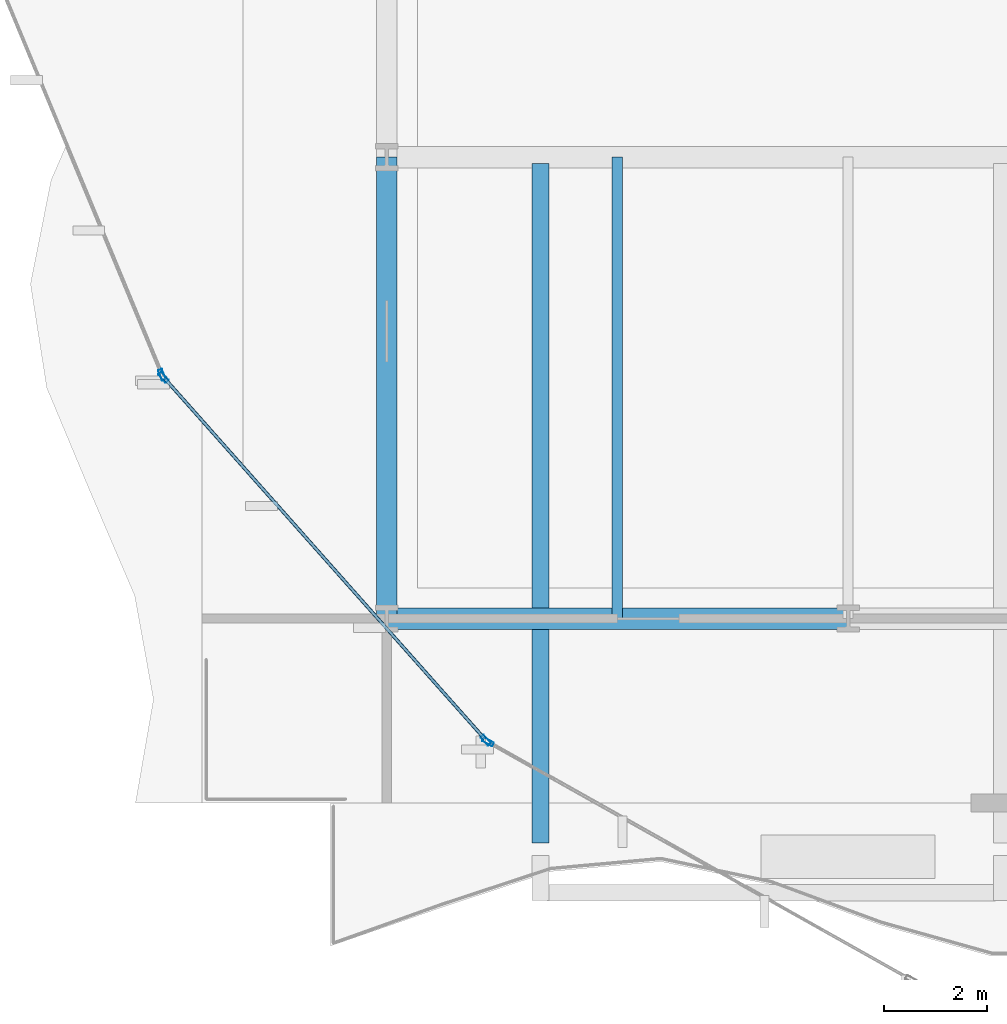
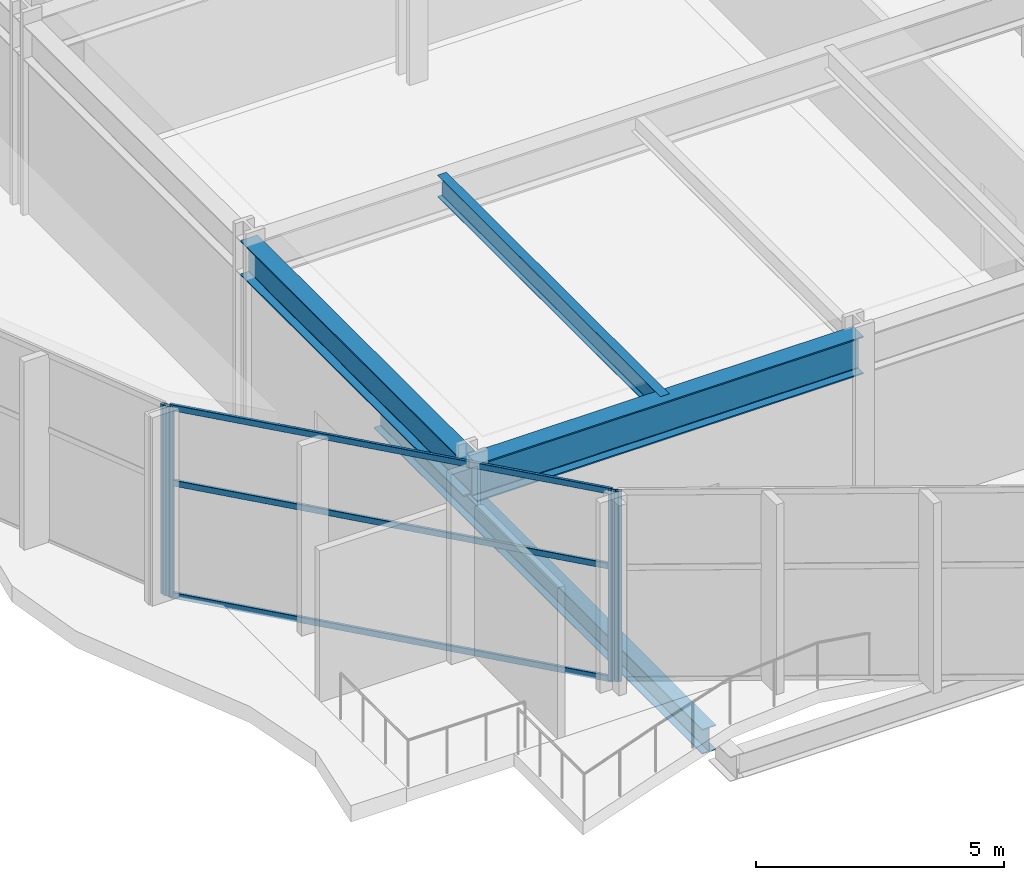
# One storey, part 2 of 28: 7 members, 4 beams, 3 elements without a shape of their own.
"""IFC4 building model written with IfcOpenShell, lengths in metres."""

from ifc_helpers import new_model, si_unit, direction, frame, origin, origin_2d, place, context, subcontext, project, spatial, hollow_rectangle, i_section, extrude, material, layer, layer_set, material_profile, profile_set, type_object, element, aggregate, save


model = new_model("IFC4")

# Units and contexts
model_context = context("Model", 3, precision=1e-05, world=origin(), true_north=direction((0.0, 1.0)))
body_context = subcontext(model_context, "Body", "Model", "MODEL_VIEW")
ifc_project = project(units=[si_unit("LENGTHUNIT", "METRE"), si_unit("AREAUNIT", "SQUARE_METRE"), si_unit("VOLUMEUNIT", "CUBIC_METRE"), si_unit("PLANEANGLEUNIT", "RADIAN"), si_unit("MASSUNIT", "GRAM", prefix="KILO")], contexts=[model_context])

# Site, building, storey
site_placement = place(None, origin())
site = spatial("IfcSite", under=ifc_project, at=site_placement, CompositionType="ELEMENT")
building_placement = place(site_placement, origin())
building = spatial("IfcBuilding", under=site, at=building_placement, Name="Solvaryn Broadcast Tower", CompositionType="ELEMENT")
storey_placement = place(building_placement, frame((0.0, 0.0, 16.199951171875)))
storey = spatial("IfcBuildingStorey", under=building, at=storey_placement, Name="L03", CompositionType="ELEMENT", Elevation=16.199951171875)

# Beams
ifc_material_1 = material(Name="Steel ASTM A992 Grade 50", Category="steel")
ifc_material_profile_1 = material_profile(ifc_material_1, i_section(OverallWidth=0.323974609375, OverallDepth=0.611083984375, WebThickness=0.0126953125, FlangeThickness=0.01904296875, FilletRadius=0.014892578125, at=origin_2d()))
ifc_profile_set_1 = profile_set([ifc_material_profile_1], Name="Steel ASTM A992 Grade 50")
beam_type_1 = type_object("IfcBeamType", Name="BM-B1-W24X104", PredefinedType="BEAM", material=ifc_profile_set_1)
beam_1_placement = place(storey_placement, frame((12.0, 17.875, -0.62548828125), z_axis=(0.0, -1.0, 0.0), x_axis=(1.0, 0.0, 0.0)))
element("IfcBeam", 1, at=beam_1_placement, inside=storey, type_object=beam_type_1, Name="L03 Terrace Back-Span Beam X12.0", PredefinedType="BEAM", context=body_context, shape_type="SweptSolid", body=[
    extrude(i_section(OverallWidth=0.323974609375, OverallDepth=0.611083984375, WebThickness=0.0126953125, FlangeThickness=0.01904296875, FilletRadius=0.014892578125, at=origin_2d()), origin(), (0.0, 0.0, 1.0), 13.25),
])
ifc_material_2 = material(Name="Steel ASTM A992 Grade 50", Category="steel")
ifc_material_profile_2 = material_profile(ifc_material_2, i_section(OverallWidth=0.208984375, OverallDepth=0.532958984375, WebThickness=0.01025390625, FlangeThickness=0.015625, FilletRadius=0.013916015625, at=origin_2d()))
ifc_profile_set_2 = profile_set([ifc_material_profile_2], Name="Steel ASTM A992 Grade 50")
beam_type_2 = type_object("IfcBeamType", Name="BM-B3-W21X62", PredefinedType="BEAM", material=ifc_profile_set_2)
beam_2_placement = place(storey_placement, frame((13.5, 9.0, 4.41357421875), z_axis=(0.0, 1.0, 0.0), x_axis=(-1.0, 0.0, 0.0)))
element("IfcBeam", 2, at=beam_2_placement, inside=storey, type_object=beam_type_2, Name="L03 Studio Rigging Beam 1", PredefinedType="BEAM", context=body_context, shape_type="SweptSolid", body=[
    extrude(i_section(OverallWidth=0.208984375, OverallDepth=0.532958984375, WebThickness=0.01025390625, FlangeThickness=0.015625, FilletRadius=0.013916015625, at=origin_2d()), origin(), (0.0, 0.0, 1.0), 9.0),
])
ifc_material_3 = material(Name="Steel ASTM A992 Grade 50", Category="steel")
ifc_material_profile_3 = material_profile(ifc_material_3, i_section(OverallWidth=0.41796875, OverallDepth=0.927001953125, WebThickness=0.019287109375, FlangeThickness=0.031982421875, FilletRadius=0.02392578125, at=origin_2d()))
ifc_profile_set_3 = profile_set([ifc_material_profile_3], Name="Steel ASTM A992 Grade 50")
beam_type_3 = type_object("IfcBeamType", Name="BM-G2-W36X231", PredefinedType="BEAM", material=ifc_profile_set_3)
beam_3_placement = place(storey_placement, frame((9.0, 9.0, 4.216552734375), z_axis=(1.0, 0.0, 0.0), x_axis=(0.0, 1.0, 0.0)))
element("IfcBeam", 3, at=beam_3_placement, inside=storey, type_object=beam_type_3, Name="L03 Primary Beam X (9-18 @ Y=9)", PredefinedType="BEAM", context=body_context, shape_type="SweptSolid", body=[
    extrude(i_section(OverallWidth=0.41796875, OverallDepth=0.927001953125, WebThickness=0.019287109375, FlangeThickness=0.031982421875, FilletRadius=0.02392578125, at=origin_2d()), origin(), (0.0, 0.0, 1.0), 9.0),
])
ifc_material_4 = material(Name="Steel ASTM A992 Grade 50", Category="steel")
ifc_material_profile_4 = material_profile(ifc_material_4, i_section(OverallWidth=0.39990234375, OverallDepth=0.85498046875, WebThickness=0.018310546875, FlangeThickness=0.029296875, FilletRadius=0.02001953125, at=origin_2d()))
ifc_profile_set_4 = profile_set([ifc_material_profile_4], Name="Steel ASTM A992 Grade 50")
beam_type_4 = type_object("IfcBeamType", Name="BM-G3-W33X201", PredefinedType="BEAM", material=ifc_profile_set_4)
beam_4_placement = place(storey_placement, frame((9.0, 9.0, 4.25244140625), z_axis=(0.0, 1.0, 0.0), x_axis=(-1.0, 0.0, 0.0)))
element("IfcBeam", 4, at=beam_4_placement, inside=storey, type_object=beam_type_4, Name="L03 Primary Beam Y (9-18 @ X=9)", PredefinedType="BEAM", context=body_context, shape_type="SweptSolid", body=[
    extrude(i_section(OverallWidth=0.39990234375, OverallDepth=0.85498046875, WebThickness=0.018310546875, FlangeThickness=0.029296875, FilletRadius=0.02001953125, at=origin_2d()), origin(), (0.0, 0.0, 1.0), 9.0),
])

# Curtain wall, member
ifc_material_5 = material(Name="Aluminium and Terracotta Unitised Curtain Wall", Category="masonry")
ifc_layer = layer(ifc_material_5, 0.219970703125)
ifc_layer_set = layer_set([ifc_layer], Name="CW-SYS1-PODIUM")
curtain_wall_type = type_object("IfcCurtainWallType", Name="CW-SYS1-PODIUM", PredefinedType="NOTDEFINED", material=ifc_layer_set)
curtain_wall_1_placement = place(storey_placement, origin())
curtain_wall_1 = element("IfcCurtainWall", 5, at=curtain_wall_1_placement, inside=storey, type_object=curtain_wall_type, Name="L03 Podium Curtain Wall DC2", PredefinedType="NOTDEFINED")
ifc_material_6 = material(Name="Anodised Aluminium 6063-T6", Category="aluminium")
ifc_material_profile_5 = material_profile(ifc_material_6, hollow_rectangle(XDim=0.0849609375, YDim=0.219970703125, WallThickness=0.0048828125, InnerFilletRadius=0.0048828125, OuterFilletRadius=0.010009765625, at=origin_2d()))
ifc_profile_set_5 = profile_set([ifc_material_profile_5], Name="Anodised Aluminium 6063-T6")
member_type_1 = type_object("IfcMemberType", Name="CW-MUL-220", PredefinedType="MULLION", material=ifc_profile_set_5)
member_1_placement = place(storey_placement, frame((4.618408203125, 13.756591796875, 0.0), z_axis=(0.0, 0.0, 1.0), x_axis=(0.923582542835, 0.383399643414, 0.0)))
member_1 = element("IfcMember", 6, at=member_1_placement, type_object=member_type_1, Name="CWS1 mullion 2", PredefinedType="MULLION", context=body_context, shape_type="SweptSolid", body=[
    extrude(hollow_rectangle(XDim=0.0849609375, YDim=0.219970703125, WallThickness=0.0048828125, InnerFilletRadius=0.0048828125, OuterFilletRadius=0.010009765625, at=origin_2d()), origin(), (0.0, 0.0, 1.0), 4.679931640625),
])
aggregate(curtain_wall_1, [member_1])

# Curtain wall, members
curtain_wall_2_placement = place(storey_placement, origin())
curtain_wall_2 = element("IfcCurtainWall", 7, at=curtain_wall_2_placement, inside=storey, type_object=curtain_wall_type, Name="L03 Podium Curtain Wall DC3", PredefinedType="NOTDEFINED")
member_2_placement = place(storey_placement, frame((4.64990234375, 13.70654296875, 0.0), z_axis=(0.0, 0.0, 1.0), x_axis=(0.74780890696, 0.663914029579, 0.0)))
member_2 = element("IfcMember", 8, at=member_2_placement, type_object=member_type_1, Name="CWS1 mullion 1", PredefinedType="MULLION", context=body_context, shape_type="SweptSolid", body=[
    extrude(hollow_rectangle(XDim=0.0849609375, YDim=0.219970703125, WallThickness=0.0048828125, InnerFilletRadius=0.0048828125, OuterFilletRadius=0.010009765625, at=origin_2d()), origin(), (0.0, 0.0, 1.0), 4.679931640625),
])
member_3_placement = place(storey_placement, frame((10.93310546875, 6.62939453125, 0.0), z_axis=(0.0, 0.0, 1.0), x_axis=(0.74780890696, 0.663914029579, 0.0)))
member_3 = element("IfcMember", 9, at=member_3_placement, type_object=member_type_1, Name="CWS1 mullion 2", PredefinedType="MULLION", context=body_context, shape_type="SweptSolid", body=[
    extrude(hollow_rectangle(XDim=0.0849609375, YDim=0.219970703125, WallThickness=0.0048828125, InnerFilletRadius=0.0048828125, OuterFilletRadius=0.010009765625, at=origin_2d()), origin(), (0.0, 0.0, 1.0), 4.679931640625),
])

# Curtain wall, member
curtain_wall_3_placement = place(storey_placement, origin())
curtain_wall_3 = element("IfcCurtainWall", 10, at=curtain_wall_3_placement, inside=storey, type_object=curtain_wall_type, Name="L03 Podium Curtain Wall DC4", PredefinedType="NOTDEFINED")
member_4_placement = place(storey_placement, frame((10.979248046875, 6.59228515625, 0.0), z_axis=(0.0, 0.0, 1.0), x_axis=(0.489917160453, 0.871768992276, 0.0)))
member_4 = element("IfcMember", 11, at=member_4_placement, type_object=member_type_1, Name="CWS1 mullion 1", PredefinedType="MULLION", context=body_context, shape_type="SweptSolid", body=[
    extrude(hollow_rectangle(XDim=0.0849609375, YDim=0.219970703125, WallThickness=0.0048828125, InnerFilletRadius=0.0048828125, OuterFilletRadius=0.010009765625, at=origin_2d()), origin(), (0.0, 0.0, 1.0), 4.679931640625),
])
aggregate(curtain_wall_3, [member_4])

# Member
ifc_material_7 = material(Name="Anodised Aluminium 6063-T6", Category="aluminium")
ifc_material_profile_6 = material_profile(ifc_material_7, hollow_rectangle(XDim=0.06494140625, YDim=0.14990234375, WallThickness=0.00390625, InnerFilletRadius=0.00390625, OuterFilletRadius=0.008056640625, at=origin_2d()))
ifc_profile_set_6 = profile_set([ifc_material_profile_6], Name="Anodised Aluminium 6063-T6")
member_type_2 = type_object("IfcMemberType", Name="CW-TRN-150", PredefinedType="USERDEFINED", material=ifc_profile_set_6)
member_5_placement = place(storey_placement, frame((4.669921875, 13.68408203125, 0.030029296875), z_axis=(0.663906062894, -0.747815979806, 0.0), x_axis=(0.747815979806, 0.663906062894, 0.0)))
member_5 = element("IfcMember", 12, at=member_5_placement, type_object=member_type_2, Name="CWS1 transom 1.1", ObjectType="TRANSOM", PredefinedType="USERDEFINED", context=body_context, shape_type="SweptSolid", body=[
    extrude(hollow_rectangle(XDim=0.06494140625, YDim=0.14990234375, WallThickness=0.00390625, InnerFilletRadius=0.00390625, OuterFilletRadius=0.008056640625, at=origin_2d()), origin(), (0.0, 0.0, 1.0), 9.403564453125),
])

member_6_placement = place(storey_placement, frame((4.669921875, 13.68408203125, 2.800048828125), z_axis=(0.663906062894, -0.747815979806, 0.0), x_axis=(0.747815979806, 0.663906062894, 0.0)))
member_6 = element("IfcMember", 13, at=member_6_placement, type_object=member_type_2, Name="CWS1 transom 1.2", ObjectType="TRANSOM", PredefinedType="USERDEFINED", context=body_context, shape_type="SweptSolid", body=[
    extrude(hollow_rectangle(XDim=0.06494140625, YDim=0.14990234375, WallThickness=0.00390625, InnerFilletRadius=0.00390625, OuterFilletRadius=0.008056640625, at=origin_2d()), origin(), (0.0, 0.0, 1.0), 9.403564453125),
])

member_7_placement = place(storey_placement, frame((4.669921875, 13.68408203125, 4.650146484375), z_axis=(0.663906062894, -0.747815979806, 0.0), x_axis=(0.747815979806, 0.663906062894, 0.0)))
member_7 = element("IfcMember", 14, at=member_7_placement, type_object=member_type_2, Name="CWS1 transom 1.3", ObjectType="TRANSOM", PredefinedType="USERDEFINED", context=body_context, shape_type="SweptSolid", body=[
    extrude(hollow_rectangle(XDim=0.06494140625, YDim=0.14990234375, WallThickness=0.00390625, InnerFilletRadius=0.00390625, OuterFilletRadius=0.008056640625, at=origin_2d()), origin(), (0.0, 0.0, 1.0), 9.403564453125),
])

aggregate(curtain_wall_2, [member_2, member_3, member_5, member_6, member_7])

save(model, "model.ifc")
